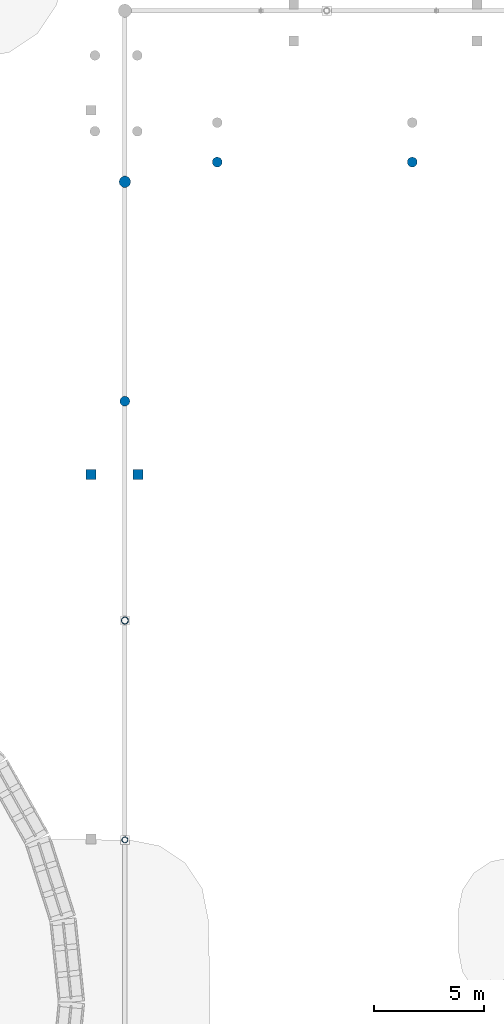
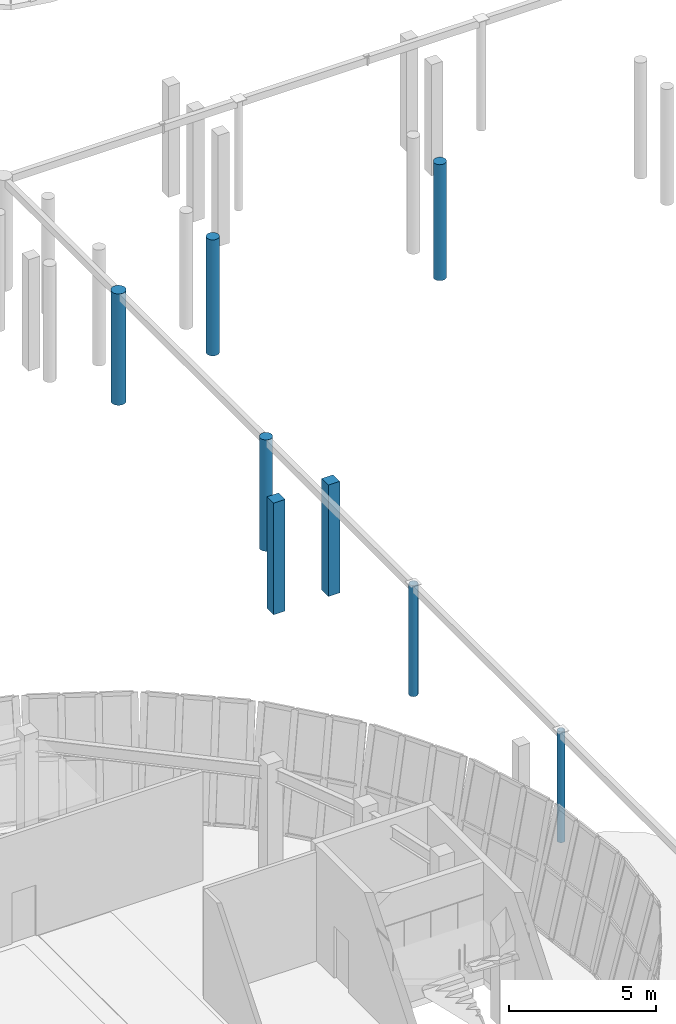
# One storey, part 3 of 120: 8 columns.
"""IFC4 building model written with IfcOpenShell, lengths in metres."""

from ifc_helpers import new_model, si_unit, direction, frame, origin, origin_2d, place, context, subcontext, project, spatial, rectangle, circle, hollow_circle, extrude, material, material_profile, profile_set, type_object, element, save


model = new_model("IFC4")

# Units and contexts
model_context = context("Model", 3, precision=1e-05, world=origin(), true_north=direction((0.0, 1.0)))
body_context = subcontext(model_context, "Body", "Model", "MODEL_VIEW")
ifc_project = project(units=[si_unit("LENGTHUNIT", "METRE"), si_unit("AREAUNIT", "SQUARE_METRE"), si_unit("VOLUMEUNIT", "CUBIC_METRE"), si_unit("PLANEANGLEUNIT", "RADIAN"), si_unit("MASSUNIT", "GRAM", prefix="KILO")], contexts=[model_context])

# Site, building, storey
site_placement = place(None, origin())
site = spatial("IfcSite", under=ifc_project, at=site_placement, CompositionType="ELEMENT")
building_placement = place(site_placement, origin())
building = spatial("IfcBuilding", under=site, at=building_placement, Name="Corveleigh Park Community Centre", CompositionType="ELEMENT")
storey_placement = place(building_placement, origin())
storey = spatial("IfcBuildingStorey", under=building, at=storey_placement, Name="L00", CompositionType="ELEMENT", Elevation=0.0)

# Columns
ifc_material_1 = material(Name="Concrete C40/50", Category="concrete")
ifc_material_profile_1 = material_profile(ifc_material_1, rectangle(XDim=0.449951171875, YDim=0.449951171875, at=origin_2d()), Name="RC-450x450", Category="concrete")
ifc_profile_set_1 = profile_set([ifc_material_profile_1], Name="Concrete C40/50")
column_type_1 = type_object("IfcColumnType", Name="COL-RC-450x450", PredefinedType="COLUMN", material=ifc_profile_set_1)
for number, where, z_axis, x_axis, name in (
    (1, (52.260986328125, 51.64990234375, 0.0), (0.0, 0.0, 1.0), (1.0, 0.0, 0.0), "External deck support pier 216 L00"),
    (2, (54.39990234375, 51.64990234375, 0.0), (0.0, 0.0, 1.0), (1.0, 0.0, 0.0), "External deck support pier 218 L00"),
):
    element("IfcColumn", number, at=place(storey_placement, frame(where, z_axis=z_axis, x_axis=x_axis)), inside=storey, type_object=column_type_1, Name=name, PredefinedType="COLUMN", context=body_context, shape_type="SweptSolid", body=[
        extrude(rectangle(XDim=0.449951171875, YDim=0.449951171875, at=origin_2d()), origin(), (0.0, 0.0, 1.0), 4.615966796875),
    ])
ifc_material_profile_2 = material_profile(ifc_material_1, circle(Radius=0.22509765625, at=origin_2d()), Name="RC-450D", Category="concrete")
ifc_profile_set_2 = profile_set([ifc_material_profile_2], Name="Concrete C40/50")
column_type_2 = type_object("IfcColumnType", Name="COL-RCE-450D", PredefinedType="COLUMN", material=ifc_profile_set_2)
column_1_placement = place(storey_placement, frame((53.800048828125, 55.0, 0.0), z_axis=(0.0, 0.0, 1.0), x_axis=(1.0, 0.0, 0.0)))
element("IfcColumn", 3, at=column_1_placement, inside=storey, type_object=column_type_2, Name="Column V5-W3 L00", PredefinedType="COLUMN", context=body_context, shape_type="SweptSolid", body=[
    extrude(circle(Radius=0.22509765625, at=origin_2d()), origin(), (0.0, 0.0, 1.0), 4.60791015625),
])
for number, where, z_axis, x_axis, name in (
    (4, (66.89990234375, 65.89990234375, 0.0), (0.0, 0.0, 1.0), (1.0, 0.0, 0.0), "External deck support pier 104 L00"),
    (5, (58.008056640625, 65.89990234375, 0.0), (0.0, 0.0, 1.0), (1.0, 0.0, 0.0), "External deck support pier 106 L00"),
):
    element("IfcColumn", number, at=place(storey_placement, frame(where, z_axis=z_axis, x_axis=x_axis)), inside=storey, type_object=column_type_2, Name=name, PredefinedType="COLUMN", context=body_context, shape_type="SweptSolid", body=[
        extrude(circle(Radius=0.22509765625, at=origin_2d()), origin(), (0.0, 0.0, 1.0), 4.800048828125),
    ])
ifc_material_profile_3 = material_profile(ifc_material_1, circle(Radius=0.260009765625, at=origin_2d()), Name="RC-520D", Category="concrete")
ifc_profile_set_3 = profile_set([ifc_material_profile_3], Name="Concrete C40/50")
column_type_3 = type_object("IfcColumnType", Name="COL-RCE-520D", PredefinedType="COLUMN", material=ifc_profile_set_3)
column_2_placement = place(storey_placement, frame((53.800048828125, 65.0, 0.0), z_axis=(0.0, 0.0, 1.0), x_axis=(1.0, 0.0, 0.0)))
element("IfcColumn", 6, at=column_2_placement, inside=storey, type_object=column_type_3, Name="Column V5-W4 L00", PredefinedType="COLUMN", context=body_context, shape_type="SweptSolid", body=[
    extrude(circle(Radius=0.260009765625, at=origin_2d()), origin(), (0.0, 0.0, 1.0), 4.60791015625),
])
ifc_material_2 = material(Name="Steel S355", Category="steel")
ifc_material_profile_4 = material_profile(ifc_material_2, hollow_circle(Radius=0.136474609375, WallThickness=0.012451171875, at=origin_2d()), Name="CHS 273.0x12.5", Category="steel")
ifc_profile_set_4 = profile_set([ifc_material_profile_4], Name="Steel S355")
column_type_4 = type_object("IfcColumnType", Name="COL-STL-CHS273", PredefinedType="COLUMN", material=ifc_profile_set_4)
column_3_placement = place(storey_placement, frame((53.800048828125, 35.0, 0.0), z_axis=(0.0, 0.0, 1.0), x_axis=(1.0, 0.0, 0.0)))
element("IfcColumn", 7, at=column_3_placement, inside=storey, type_object=column_type_4, Name="Column V5-W1 L00", PredefinedType="COLUMN", context=body_context, shape_type="SweptSolid", body=[
    extrude(hollow_circle(Radius=0.136474609375, WallThickness=0.012451171875, at=origin_2d()), origin(), (0.0, 0.0, 1.0), 4.5859375),
])
ifc_material_profile_5 = material_profile(ifc_material_2, hollow_circle(Radius=0.161865234375, WallThickness=0.01611328125, at=origin_2d()), Name="CHS 323.9x16.0", Category="steel")
ifc_profile_set_5 = profile_set([ifc_material_profile_5], Name="Steel S355")
column_type_5 = type_object("IfcColumnType", Name="COL-STL-CHS324", PredefinedType="COLUMN", material=ifc_profile_set_5)
column_4_placement = place(storey_placement, frame((53.800048828125, 45.0, 0.0), z_axis=(0.0, 0.0, 1.0), x_axis=(1.0, 0.0, 0.0)))
element("IfcColumn", 8, at=column_4_placement, inside=storey, type_object=column_type_5, Name="Column V5-W2 L00", PredefinedType="COLUMN", context=body_context, shape_type="SweptSolid", body=[
    extrude(hollow_circle(Radius=0.161865234375, WallThickness=0.01611328125, at=origin_2d()), origin(), (0.0, 0.0, 1.0), 4.5859375),
])

save(model, "model.ifc")
